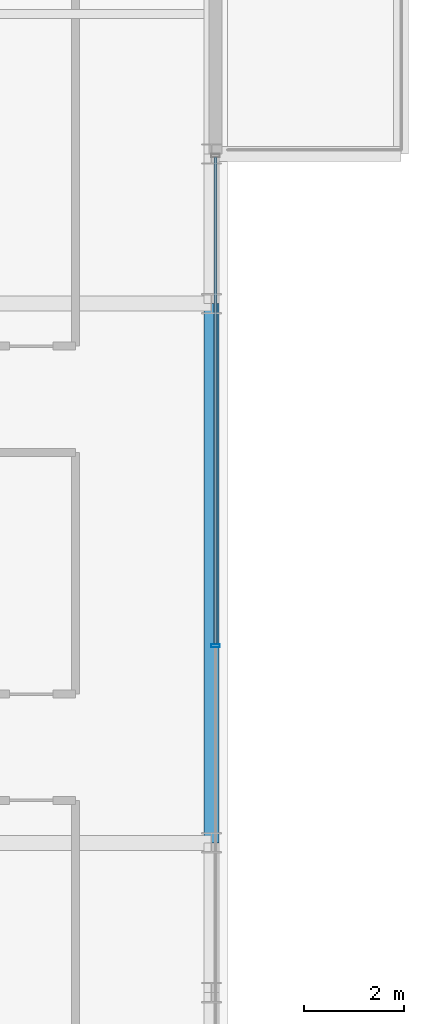
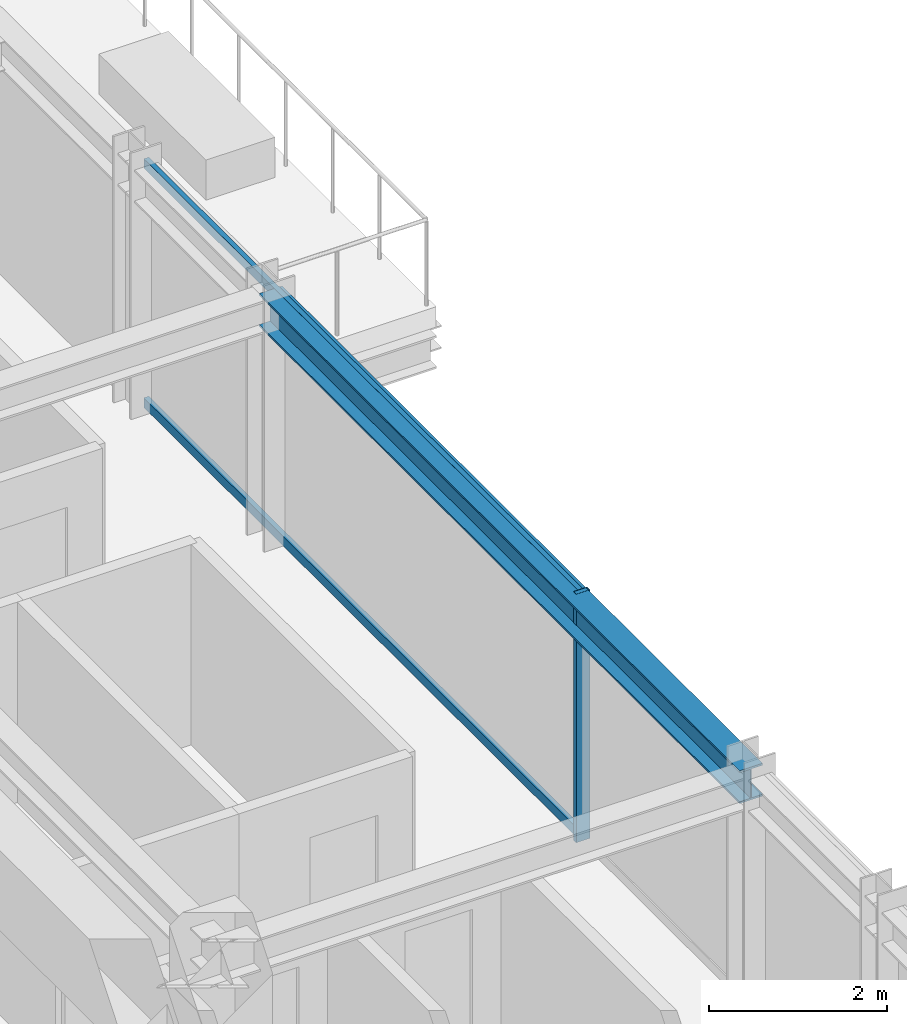
# One storey, part 17 of 34: 3 members, 1 beam, 1 element without a shape of its own.
"""IFC4 building model written with IfcOpenShell, lengths in metres."""

import ifcopenshell
import ifcopenshell.guid

model = None  # the IFC model being written
_history = None  # IfcOwnerHistory: only IFC2X3 demands one
_inside = {}  # id of a spatial element -> (the spatial element, [elements in it])
_under = {}  # id of a project, library or spatial element -> (it, [spatial elements below it])
_declared = {}  # id of a project -> (the project, [libraries it declares])
_typed = {}  # id of a type object -> (the type object, [elements of that type])
_made_of = {}  # id of a material, layer set ... -> (it, [elements and type objects made of it])


def new_model(schema):
    """Start an empty IFC model of exactly this schema.

    Asked for "IFC4X3", IfcOpenShell would pick the latest addendum, in which some entities
    have other attributes; the version numbers below select the first issue.
    IFC2X3 requires an IfcOwnerHistory on every rooted entity: one is made here for all.
    """
    global model, _history
    if schema == "IFC4X3":
        model = ifcopenshell.file(schema_version=(4, 3, 0, 0))
    else:
        model = ifcopenshell.file(schema=schema)
    _inside.clear()
    _under.clear()
    _declared.clear()
    _typed.clear()
    _made_of.clear()
    _history = None
    if model.schema == "IFC2X3":
        org = make("IfcOrganization", Name="unknown")
        user = make(
            "IfcPersonAndOrganization",
            ThePerson=make("IfcPerson", FamilyName="unknown"),
            TheOrganization=org,
        )
        app = make(
            "IfcApplication",
            ApplicationDeveloper=org,
            Version="unknown",
            ApplicationFullName="unknown",
            ApplicationIdentifier="unknown",
        )
        _history = make(
            "IfcOwnerHistory",
            OwningUser=user,
            OwningApplication=app,
            ChangeAction="ADDED",
            CreationDate=0,
        )
    return model


def make(cls, **values):
    """One entity of the class cls with the attributes given. An attribute that is None is left unset."""
    return model.create_entity(
        cls, **{name: value for name, value in values.items() if value is not None}
    )


def rooted(cls, **values):
    """An entity with a GlobalId (a new one), such as an element, a storey or a relation."""
    return make(cls, GlobalId=ifcopenshell.guid.new(), OwnerHistory=_history, **values)


def si_unit(unit_type, name, prefix=None):
    """IfcSIUnit, for example si_unit("LENGTHUNIT", "METRE", prefix="MILLI")."""
    return make("IfcSIUnit", UnitType=unit_type, Prefix=prefix, Name=name)


def assignment(units):
    """IfcUnitAssignment: the units of a project."""
    return None if units is None else make("IfcUnitAssignment", Units=units)


def point(xyz):
    """IfcCartesianPoint."""
    return None if xyz is None else make("IfcCartesianPoint", Coordinates=xyz)


def direction(xyz):
    """IfcDirection."""
    return None if xyz is None else make("IfcDirection", DirectionRatios=xyz)


def frame(location, z_axis=None, x_axis=None):
    """IfcAxis2Placement3D, a coordinate frame: its origin and axes. An axis left out is left unset."""
    return make(
        "IfcAxis2Placement3D",
        Location=point(location),
        Axis=direction(z_axis),
        RefDirection=direction(x_axis),
    )


def frame_2d(location, x_axis=None):
    """IfcAxis2Placement2D, a coordinate frame in the plane: its origin and x axis."""
    return make(
        "IfcAxis2Placement2D", Location=point(location), RefDirection=direction(x_axis)
    )


def origin():
    """The frame at (0, 0, 0) with its axes left unset."""
    return frame((0.0, 0.0, 0.0))


def origin_2d():
    """The frame at (0, 0) in the plane with its x axis left unset."""
    return frame_2d((0.0, 0.0))


def place(relative_to, where):
    """IfcLocalPlacement: puts the frame where relative to a parent placement (None: the world)."""
    return make(
        "IfcLocalPlacement", PlacementRelTo=relative_to, RelativePlacement=where
    )


def context(
    kind, dimensions, precision=None, world=None, true_north=None, identifier=None
):
    """IfcGeometricRepresentationContext, for example the 3D "Model" context."""
    return make(
        "IfcGeometricRepresentationContext",
        ContextIdentifier=identifier,
        ContextType=kind,
        CoordinateSpaceDimension=dimensions,
        Precision=precision,
        WorldCoordinateSystem=world,
        TrueNorth=true_north,
    )


def subcontext(parent, identifier, kind, view, scale=None):
    """IfcGeometricRepresentationSubContext, for example "Body" below "Model"."""
    return make(
        "IfcGeometricRepresentationSubContext",
        ContextIdentifier=identifier,
        ContextType=kind,
        ParentContext=parent,
        TargetScale=scale,
        TargetView=view,
    )


def project(units=None, contexts=None):
    """IfcProject with its units and contexts."""
    return rooted(
        "IfcProject",
        Name="project",
        RepresentationContexts=contexts,
        UnitsInContext=assignment(units),
    )


def spatial(cls, under=None, at=None, **own):
    """A site, building, storey or space (cls), placed at a placement, below another one or the project."""
    s = rooted(cls, ObjectPlacement=at, **own)
    if under is not None:
        _under.setdefault(under.id(), (under, []))[1].append(s)
    return s


def profile(cls, at=None, kind="AREA", **sizes):
    """A parametric profile (cls). Its sizes go by their IFC names, for example OverallWidth=200.0."""
    return make(cls, ProfileType=kind, Position=at, **sizes)


def hollow_rectangle(**sizes):
    """IfcRectangleHollowProfileDef."""
    return profile("IfcRectangleHollowProfileDef", **sizes)


def i_section(**sizes):
    """IfcIShapeProfileDef."""
    return profile("IfcIShapeProfileDef", **sizes)


def extrude(swept, where, along, depth):
    """IfcExtrudedAreaSolid: the profile swept, set in the frame where, extruded along a direction by depth."""
    return make(
        "IfcExtrudedAreaSolid",
        SweptArea=swept,
        Position=where,
        ExtrudedDirection=direction(along),
        Depth=depth,
    )


def shape(context_of_items, identifier, shape_type, items):
    """IfcShapeRepresentation: the items that make up one representation, for example the "Body"."""
    return make(
        "IfcShapeRepresentation",
        ContextOfItems=context_of_items,
        RepresentationIdentifier=identifier,
        RepresentationType=shape_type,
        Items=items,
    )


def source(mapping_origin, context_of_items, identifier, shape_type, items):
    """IfcRepresentationMap: a shape defined once, which mapped items show again and again."""
    return make(
        "IfcRepresentationMap",
        MappingOrigin=mapping_origin,
        MappedRepresentation=shape(context_of_items, identifier, shape_type, items),
    )


def transform(
    local_origin,
    x_axis=None,
    y_axis=None,
    z_axis=None,
    scale=None,
    scale2=None,
    scale3=None,
    uniform=True,
):
    """IfcCartesianTransformationOperator3D, or its non-uniform kind. x_axis, y_axis, z_axis: its Axis1, 2, 3."""
    if uniform:
        return make(
            "IfcCartesianTransformationOperator3D",
            Axis1=direction(x_axis),
            Axis2=direction(y_axis),
            LocalOrigin=point(local_origin),
            Scale=scale,
            Axis3=direction(z_axis),
        )
    return make(
        "IfcCartesianTransformationOperator3DnonUniform",
        Axis1=direction(x_axis),
        Axis2=direction(y_axis),
        LocalOrigin=point(local_origin),
        Scale=scale,
        Axis3=direction(z_axis),
        Scale2=scale2,
        Scale3=scale3,
    )


def mapped(mapping_source, mapping_target):
    """IfcMappedItem: shows the shape of a source again, moved by a transform."""
    return make(
        "IfcMappedItem", MappingSource=mapping_source, MappingTarget=mapping_target
    )


def material(Name=None, Category=None):
    """IfcMaterial."""
    return make("IfcMaterial", Name=Name, Category=Category)


def material_profile(
    of_material, cross_section, Name=None, Category=None, Priority=None
):
    """IfcMaterialProfile: a cross section and its material."""
    return make(
        "IfcMaterialProfile",
        Name=Name,
        Material=of_material,
        Profile=cross_section,
        Priority=Priority,
        Category=Category,
    )


def profile_set(profiles, Name=None, composite=None):
    """IfcMaterialProfileSet."""
    return make(
        "IfcMaterialProfileSet",
        Name=Name,
        MaterialProfiles=profiles,
        CompositeProfile=composite,
    )


def made_of(thing, what):
    """Note that an element or type object is made of a material, layer set ...; save() writes the relation."""
    if what is not None:
        _made_of.setdefault(what.id(), (what, []))[1].append(thing)
    return thing


def type_object(cls, material=None, **own):
    """A type object (cls), such as IfcWallType, which elements share."""
    return made_of(rooted(cls, **own), material)


def element(
    cls,
    number,
    at=None,
    inside=None,
    cuts=None,
    type_object=None,
    material=None,
    context=None,
    identifier="Body",
    shape_type=None,
    held_by="IfcProductDefinitionShape",
    body=None,
    shapes=None,
    **own,
):
    """One element of the class cls, such as IfcWall. Its Tag is "e" and its number.

    at: its placement. inside: the storey or other place that contains it. cuts: it is an
    opening in that element (IfcRelVoidsElement). A single representation is given by context,
    identifier, shape_type and body (its items); several are given by shapes. held_by: the class
    of the entity that holds the representations. save() writes the other relations.
    """
    e = rooted(cls, Tag="e%d" % number, ObjectPlacement=at, **own)
    if body is not None:
        shapes = [shape(context, identifier, shape_type, body)]
    if shapes is not None:
        e.Representation = make(held_by, Representations=shapes)
    if inside is not None:
        _inside.setdefault(inside.id(), (inside, []))[1].append(e)
    if cuts is not None:
        rooted(
            "IfcRelVoidsElement", RelatingBuildingElement=cuts, RelatedOpeningElement=e
        )
    if type_object is not None:
        _typed.setdefault(type_object.id(), (type_object, []))[1].append(e)
    return made_of(e, material)


def aggregate(whole, parts):
    """IfcRelAggregates: a whole, such as a stair, and the parts it consists of."""
    return rooted("IfcRelAggregates", RelatingObject=whole, RelatedObjects=parts)


def save(model, path):
    """Write the relations noted so far, then the file.

    IfcRelAggregates (storeys below a building ...), IfcRelContainedInSpatialStructure (elements
    in a storey), IfcRelDefinesByType, IfcRelAssociatesMaterial and IfcRelDeclares: one each for
    every whole, place, type object, material and project.
    """
    for whole, parts in _under.values():
        aggregate(whole, parts)
    for where, things in _inside.values():
        rooted(
            "IfcRelContainedInSpatialStructure",
            RelatedElements=things,
            RelatingStructure=where,
        )
    for kind, things in _typed.values():
        rooted("IfcRelDefinesByType", RelatedObjects=things, RelatingType=kind)
    for what, things in _made_of.values():
        rooted("IfcRelAssociatesMaterial", RelatedObjects=things, RelatingMaterial=what)
    for by, libraries in _declared.values():
        rooted("IfcRelDeclares", RelatingContext=by, RelatedDefinitions=libraries)
    model.write(path)


model = new_model("IFC4")

# Units and contexts
model_context = context("Model", 3, precision=1e-05, world=origin(), true_north=direction((0.0, 1.0)))
body_context = subcontext(model_context, "Body", "Model", "MODEL_VIEW")
ifc_project = project(units=[si_unit("LENGTHUNIT", "METRE"), si_unit("AREAUNIT", "SQUARE_METRE"), si_unit("VOLUMEUNIT", "CUBIC_METRE"), si_unit("PLANEANGLEUNIT", "RADIAN"), si_unit("MASSUNIT", "GRAM", prefix="KILO")], contexts=[model_context])

# Site, building, storey
site_placement = place(None, origin())
site = spatial("IfcSite", under=ifc_project, at=site_placement, CompositionType="ELEMENT")
building_placement = place(site_placement, origin())
building = spatial("IfcBuilding", under=site, at=building_placement, Name="Nahalor Promenade Grand Hotel", CompositionType="ELEMENT")
storey_placement = place(building_placement, frame((0.0, 0.0, 208.60009765625)))
storey = spatial("IfcBuildingStorey", under=building, at=storey_placement, Name="L53", CompositionType="ELEMENT", Elevation=208.60009765625)

# Beam
ifc_material_1 = material(Name="Steel S355JR", Category="steel")
ifc_material_profile_1 = material_profile(ifc_material_1, i_section(OverallWidth=0.3, OverallDepth=0.45, WebThickness=0.014, FlangeThickness=0.026, at=origin_2d()), Name="HEB 450")
ifc_profile_set_1 = profile_set([ifc_material_profile_1], Name="Steel S355JR")
beam_type = type_object("IfcBeamType", Name="Beam-Spandrel-HEB450", PredefinedType="SPANDREL", material=ifc_profile_set_1)
shared_shape_1 = source(origin(), body_context, "Body", "SweptSolid", [
    extrude(i_section(OverallWidth=0.3, OverallDepth=0.45, WebThickness=0.014, FlangeThickness=0.026, at=origin_2d()), origin(), (0.0, 0.0, 1.0), 10.7998046875),
])
beam_placement = place(storey_placement, frame((23.8798828125, -5.39990234375, 3.184814453125), z_axis=(0.0, 1.0, 0.0), x_axis=(-1.0, 0.0, 0.0)))
element("IfcBeam", 1, at=beam_placement, inside=storey, type_object=beam_type, Name="BM-L53-SP-E-2", PredefinedType="SPANDREL", context=body_context, shape_type="MappedRepresentation", body=[
    mapped(shared_shape_1, transform((0.0, 0.0, 0.0), scale=1.0)),
])

# Curtain wall, members
ifc_material_2 = material(Name="Anodised Bronze Aluminium EN AW-6063 T6", Category="aluminium")
curtain_wall_type = type_object("IfcCurtainWallType", Name="CW2 Typical Hotel Flush Bronze Unitised Curtain Wall", PredefinedType="USERDEFINED", material=ifc_material_2)
curtain_wall_placement = place(storey_placement, origin())
curtain_wall = element("IfcCurtainWall", 2, at=curtain_wall_placement, inside=storey, type_object=curtain_wall_type, Name="L53 Curtain Wall CW-L53-E-1", ObjectType="UNITISED_CURTAIN_WALL", PredefinedType="USERDEFINED")
ifc_material_profile_2 = material_profile(ifc_material_2, hollow_rectangle(XDim=0.065, YDim=0.13, WallThickness=0.004, at=origin_2d()), Name="CWT 65x130x4")
ifc_profile_set_2 = profile_set([ifc_material_profile_2], Name="Anodised Bronze Aluminium EN AW-6063 T6")
member_type_1 = type_object("IfcMemberType", Name="CWT2 Typical Bronze Transom 65x130", PredefinedType="USERDEFINED", material=ifc_profile_set_2)
shared_shape_2 = source(origin(), body_context, "Body", "SweptSolid", [
    extrude(hollow_rectangle(XDim=0.065, YDim=0.13, WallThickness=0.004, at=origin_2d()), origin(), (0.0, 0.0, 1.0), 9.755859375),
])
member_1_placement = place(storey_placement, frame((23.9599609375, -1.4208984375, 0.06494140625), z_axis=(0.0, 1.0, 0.0), x_axis=(-1.0, 0.0, 0.0)))
member_1 = element("IfcMember", 3, at=member_1_placement, type_object=member_type_1, Name="CW-L53-E-1 Transom 2-0", ObjectType="TRANSOM", PredefinedType="USERDEFINED", context=body_context, shape_type="MappedRepresentation", body=[
    mapped(shared_shape_2, transform((0.0, 0.0, 0.0), scale=1.0)),
])
member_2_placement = place(storey_placement, frame((23.9599609375, -1.4208984375, 3.344970703125), z_axis=(0.0, 1.0, 0.0), x_axis=(-1.0, 0.0, 0.0)))
member_2 = element("IfcMember", 4, at=member_2_placement, type_object=member_type_1, Name="CW-L53-E-1 Transom 2-1", ObjectType="TRANSOM", PredefinedType="USERDEFINED", context=body_context, shape_type="MappedRepresentation", body=[
    mapped(shared_shape_2, transform((0.0, 0.0, 0.0), scale=1.0)),
])
ifc_material_profile_3 = material_profile(ifc_material_2, hollow_rectangle(XDim=0.065, YDim=0.18, WallThickness=0.004, at=origin_2d()), Name="CWM 65x180x4")
ifc_profile_set_3 = profile_set([ifc_material_profile_3], Name="Anodised Bronze Aluminium EN AW-6063 T6")
member_type_2 = type_object("IfcMemberType", Name="CWM2 Typical Bronze Mullion 65x180", PredefinedType="MULLION", material=ifc_profile_set_3)
shared_shape_3 = source(origin(), body_context, "Body", "SweptSolid", [
    extrude(hollow_rectangle(XDim=0.065, YDim=0.18, WallThickness=0.004, at=origin_2d()), origin(), (0.0, 0.0, 1.0), 3.409912109375),
])
member_3_placement = place(storey_placement, frame((23.9599609375, -1.453369140625, 0.0), z_axis=(0.0, 0.0, 1.0), x_axis=(0.0, 1.0, 0.0)))
member_3 = element("IfcMember", 5, at=member_3_placement, type_object=member_type_2, Name="CW-L53-E-1 Mullion 2", PredefinedType="MULLION", context=body_context, shape_type="MappedRepresentation", body=[
    mapped(shared_shape_3, transform((0.0, 0.0, 0.0), scale=1.0)),
])
aggregate(curtain_wall, [member_3, member_1, member_2])

save(model, "model.ifc")
